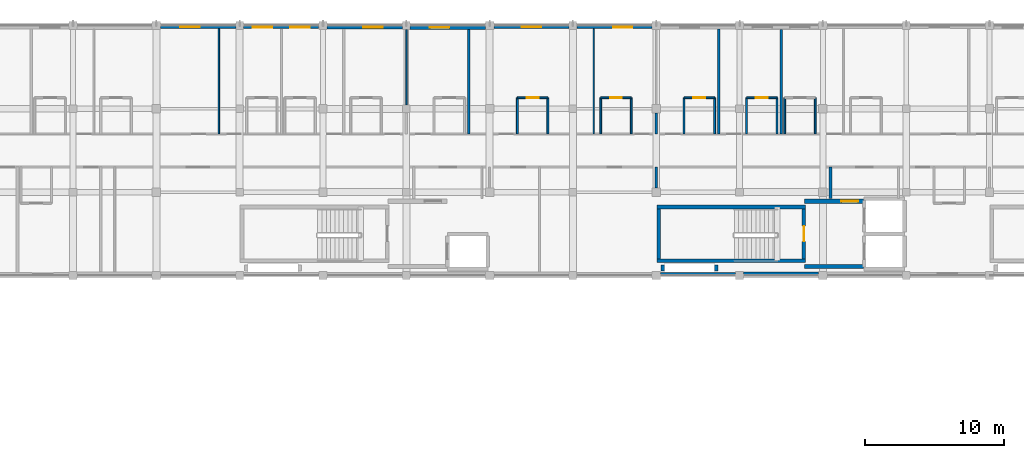
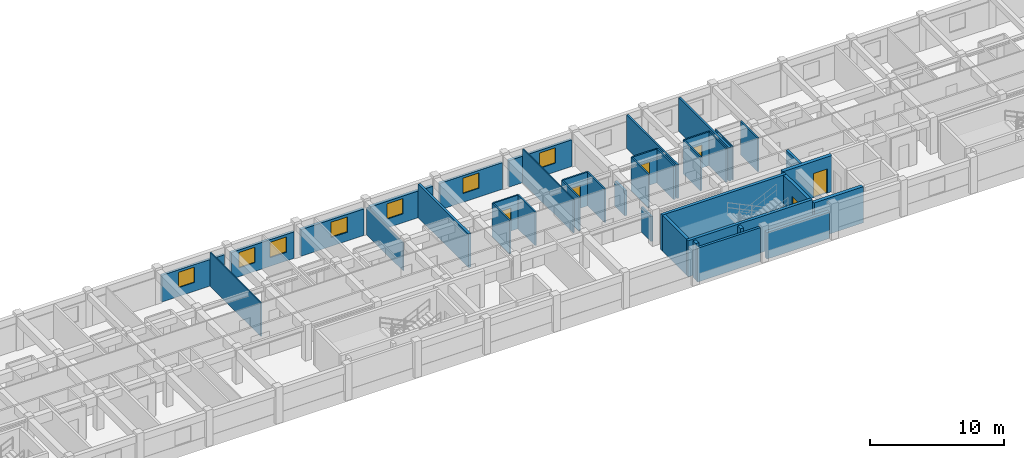
# One storey, part 14 of 22: 39 walls, 7 windows, 6 doors, 13 openings.
"""IFC4 building model written with IfcOpenShell, lengths in metres."""

from ifc_helpers import new_model, si_unit, direction, frame, frame_2d, origin, place, context, subcontext, project, spatial, rectangle, extrude, material, layer, layer_set, type_object, element, fill, save


model = new_model("IFC4")

# Units and contexts
model_context = context("Model", 3, precision=1e-05, world=origin(), true_north=direction((0.0, 1.0)))
body_context = subcontext(model_context, "Body", "Model", "MODEL_VIEW")
ifc_project = project(units=[si_unit("LENGTHUNIT", "METRE"), si_unit("AREAUNIT", "SQUARE_METRE"), si_unit("VOLUMEUNIT", "CUBIC_METRE"), si_unit("PLANEANGLEUNIT", "RADIAN"), si_unit("MASSUNIT", "GRAM", prefix="KILO"), si_unit("THERMODYNAMICTEMPERATUREUNIT", "KELVIN"), si_unit("POWERUNIT", "WATT")], contexts=[model_context])

# Site, building, storey
site_placement = place(None, origin())
site = spatial("IfcSite", under=ifc_project, at=site_placement, CompositionType="ELEMENT")
building_placement = place(site_placement, origin())
building = spatial("IfcBuilding", under=site, at=building_placement, Name="Phaisarnlok Congress Hotel", CompositionType="ELEMENT")
storey_placement = place(building_placement, frame((0.0, 0.0, 28.199951171875)))
storey = spatial("IfcBuildingStorey", under=building, at=storey_placement, Name="L06", CompositionType="ELEMENT", Elevation=28.199951171875)

# Wall, opening, window
ifc_material_1 = material(Name="Concrete C40/50", Category="concrete")
ifc_layer_1 = layer(ifc_material_1, 0.2099609375, Name="Concrete C40/50")
ifc_layer_set_1 = layer_set([ifc_layer_1], Name="Concrete C40/50")
wall_type_1 = type_object("IfcWallType", Name="WL-EXT-210", PredefinedType="SOLIDWALL", material=ifc_layer_set_1)
wall_1_placement = place(storey_placement, frame((125.719970703125, 125.89501953125, 0.0), z_axis=(0.0, 0.0, 1.0), x_axis=(-1.0, 0.0, 0.0)))
wall_1 = element("IfcWall", 1, at=wall_1_placement, inside=storey, type_object=wall_type_1, Name="Exterior wall EW-07 (L06)", PredefinedType="SOLIDWALL", context=body_context, shape_type="SweptSolid", body=[
    extrude(rectangle(XDim=5.4150390625, YDim=0.2099609375, at=frame_2d((2.70751953125, 0.0))), origin(), (0.0, 0.0, 1.0), 2.429931640625),
])
opening_1_placement = place(wall_1_placement, frame((2.007080078125, 0.0, 0.800048828125)))
opening_1 = element("IfcOpeningElement", 2, at=opening_1_placement, cuts=wall_1, Name="Opening W-13", PredefinedType="OPENING", context=body_context, shape_type="SweptSolid", body=[
    extrude(rectangle(XDim=1.39990234375, YDim=1.39990234375, at=frame_2d((0.699951171875, 0.699951171875))), frame((0.0, 0.114990234375, 0.0), z_axis=(0.0, -1.0, 0.0), x_axis=(1.0, 0.0, 0.0)), (0.0, 0.0, 1.0), 0.22998046875),
])
ifc_material_2 = material(Name="Thermally Broken Aluminium & Low-E Double Glazing", Category="aluminium")
window_type = type_object("IfcWindowType", Name="WIN-POD-1400", PartitioningType="SINGLE_PANEL", PredefinedType="WINDOW", material=ifc_material_2)
window_1_placement = place(opening_1_placement, origin())
window_1 = element("IfcWindow", 3, at=window_1_placement, inside=storey, type_object=window_type, Name="Guestroom window W-13 (L06)", OverallHeight=1.39990234375, OverallWidth=1.39990234375, PartitioningType="SINGLE_PANEL", PredefinedType="WINDOW", context=body_context, shape_type="SweptSolid", body=[
    extrude(rectangle(XDim=1.39990234375, YDim=1.39990234375, at=frame_2d((0.699951171875, 0.699951171875))), frame((0.0, 0.030029296875, 0.0), z_axis=(0.0, -1.0, 0.0), x_axis=(1.0, 0.0, 0.0)), (0.0, 0.0, 1.0), 0.06005859375),
])
fill(opening_1, window_1)

wall_2_placement = place(storey_placement, frame((101.719970703125, 125.89501953125, 0.0), z_axis=(0.0, 0.0, 1.0), x_axis=(-1.0, 0.0, 0.0)))
wall_2 = element("IfcWall", 4, at=wall_2_placement, inside=storey, type_object=wall_type_1, Name="Exterior wall EW-07 (L06)", PredefinedType="SOLIDWALL", context=body_context, shape_type="SweptSolid", body=[
    extrude(rectangle(XDim=5.4150390625, YDim=0.2099609375, at=frame_2d((2.70751953125, 0.0))), origin(), (0.0, 0.0, 1.0), 2.429931640625),
])
opening_2_placement = place(wall_2_placement, frame((2.60791015625, 0.0, 0.800048828125)))
opening_2 = element("IfcOpeningElement", 5, at=opening_2_placement, cuts=wall_2, Name="Opening W-13", PredefinedType="OPENING", context=body_context, shape_type="SweptSolid", body=[
    extrude(rectangle(XDim=1.39990234375, YDim=1.39990234375, at=frame_2d((0.699951171875, 0.699951171875))), frame((0.0, 0.114990234375, 0.0), z_axis=(0.0, -1.0, 0.0), x_axis=(1.0, 0.0, 0.0)), (0.0, 0.0, 1.0), 0.22998046875),
])
window_2_placement = place(opening_2_placement, origin())
window_2 = element("IfcWindow", 6, at=window_2_placement, inside=storey, type_object=window_type, Name="Guestroom window W-13 (L06)", OverallHeight=1.39990234375, OverallWidth=1.39990234375, PartitioningType="SINGLE_PANEL", PredefinedType="WINDOW", context=body_context, shape_type="SweptSolid", body=[
    extrude(rectangle(XDim=1.39990234375, YDim=1.39990234375, at=frame_2d((0.699951171875, 0.699951171875))), frame((0.0, 0.030029296875, 0.0), z_axis=(0.0, -1.0, 0.0), x_axis=(1.0, 0.0, 0.0)), (0.0, 0.0, 1.0), 0.06005859375),
])
fill(opening_2, window_2)

# Wall
wall_3_placement = place(storey_placement, frame((132.304931640625, 108.10498046875, 0.0), z_axis=(0.0, 0.0, 1.0), x_axis=(1.0, 0.0, 0.0)))
element("IfcWall", 7, at=wall_3_placement, inside=storey, type_object=wall_type_1, Name="Exterior wall EW-07 (L06)", PredefinedType="SOLIDWALL", context=body_context, shape_type="SweptSolid", body=[
    extrude(rectangle(XDim=5.4150390625, YDim=0.2099609375, at=frame_2d((2.70751953125, 0.0))), origin(), (0.0, 0.0, 1.0), 3.080078125),
])

# Wall, opening, window
ifc_layer_2 = layer(ifc_material_1, 0.22998046875, Name="Concrete C40/50")
ifc_layer_set_2 = layer_set([ifc_layer_2], Name="Concrete C40/50")
wall_type_2 = type_object("IfcWallType", Name="WL-EXT-230", PredefinedType="SOLIDWALL", material=ifc_layer_set_2)
wall_4_placement = place(storey_placement, frame((131.695068359375, 125.885009765625, 0.0), z_axis=(0.0, 0.0, 1.0), x_axis=(-1.0, 0.0, 0.0)))
wall_4 = element("IfcWall", 8, at=wall_4_placement, inside=storey, type_object=wall_type_2, Name="Exterior wall EW-06 (L06)", PredefinedType="SOLIDWALL", context=body_context, shape_type="SweptSolid", body=[
    extrude(rectangle(XDim=5.4150390625, YDim=0.22998046875, at=frame_2d((2.70751953125, 0.0))), origin(), (0.0, 0.0, 1.0), 2.429931640625),
])
opening_3_placement = place(wall_4_placement, frame((1.407958984375, 0.0, 0.800048828125)))
opening_3 = element("IfcOpeningElement", 9, at=opening_3_placement, cuts=wall_4, Name="Opening W-13", PredefinedType="OPENING", context=body_context, shape_type="SweptSolid", body=[
    extrude(rectangle(XDim=1.39990234375, YDim=1.39990234375, at=frame_2d((0.699951171875, 0.699951171875))), frame((0.0, 0.125, 0.0), z_axis=(0.0, -1.0, 0.0), x_axis=(1.0, 0.0, 0.0)), (0.0, 0.0, 1.0), 0.25),
])
window_3_placement = place(opening_3_placement, origin())
window_3 = element("IfcWindow", 10, at=window_3_placement, inside=storey, type_object=window_type, Name="Guestroom window W-13 (L06)", OverallHeight=1.39990234375, OverallWidth=1.39990234375, PartitioningType="SINGLE_PANEL", PredefinedType="WINDOW", context=body_context, shape_type="SweptSolid", body=[
    extrude(rectangle(XDim=1.39990234375, YDim=1.39990234375, at=frame_2d((0.699951171875, 0.699951171875))), frame((0.0, 0.030029296875, 0.0), z_axis=(0.0, -1.0, 0.0), x_axis=(1.0, 0.0, 0.0)), (0.0, 0.0, 1.0), 0.06005859375),
])
fill(opening_3, window_3)

# Wall, openings, windows
wall_5_placement = place(storey_placement, frame((107.695068359375, 125.885009765625, 0.0), z_axis=(0.0, 0.0, 1.0), x_axis=(-1.0, 0.0, 0.0)))
wall_5 = element("IfcWall", 11, at=wall_5_placement, inside=storey, type_object=wall_type_2, Name="Exterior wall EW-06 (L06)", PredefinedType="SOLIDWALL", context=body_context, shape_type="SweptSolid", body=[
    extrude(rectangle(XDim=5.4150390625, YDim=0.22998046875, at=frame_2d((2.70751953125, 0.0))), origin(), (0.0, 0.0, 1.0), 2.429931640625),
])
opening_4_placement = place(wall_5_placement, frame((3.344970703125, 0.0, 0.800048828125)))
opening_4 = element("IfcOpeningElement", 12, at=opening_4_placement, cuts=wall_5, Name="Opening W-13", PredefinedType="OPENING", context=body_context, shape_type="SweptSolid", body=[
    extrude(rectangle(XDim=1.39990234375, YDim=1.39990234375, at=frame_2d((0.699951171875, 0.699951171875))), frame((0.0, 0.125, 0.0), z_axis=(0.0, -1.0, 0.0), x_axis=(1.0, 0.0, 0.0)), (0.0, 0.0, 1.0), 0.25),
])
opening_5_placement = place(wall_5_placement, frame((0.656982421875, 0.0, 0.800048828125)))
opening_5 = element("IfcOpeningElement", 13, at=opening_5_placement, cuts=wall_5, Name="Opening W-13", PredefinedType="OPENING", context=body_context, shape_type="SweptSolid", body=[
    extrude(rectangle(XDim=1.39990234375, YDim=1.39990234375, at=frame_2d((0.699951171875, 0.699951171875))), frame((0.0, 0.125, 0.0), z_axis=(0.0, -1.0, 0.0), x_axis=(1.0, 0.0, 0.0)), (0.0, 0.0, 1.0), 0.25),
])
window_4_placement = place(opening_4_placement, origin())
window_4 = element("IfcWindow", 14, at=window_4_placement, inside=storey, type_object=window_type, Name="Guestroom window W-13 (L06)", OverallHeight=1.39990234375, OverallWidth=1.39990234375, PartitioningType="SINGLE_PANEL", PredefinedType="WINDOW", context=body_context, shape_type="SweptSolid", body=[
    extrude(rectangle(XDim=1.39990234375, YDim=1.39990234375, at=frame_2d((0.699951171875, 0.699951171875))), frame((0.0, 0.030029296875, 0.0), z_axis=(0.0, -1.0, 0.0), x_axis=(1.0, 0.0, 0.0)), (0.0, 0.0, 1.0), 0.06005859375),
])
fill(opening_4, window_4)
window_5_placement = place(opening_5_placement, origin())
window_5 = element("IfcWindow", 15, at=window_5_placement, inside=storey, type_object=window_type, Name="Guestroom window W-13 (L06)", OverallHeight=1.39990234375, OverallWidth=1.39990234375, PartitioningType="SINGLE_PANEL", PredefinedType="WINDOW", context=body_context, shape_type="SweptSolid", body=[
    extrude(rectangle(XDim=1.39990234375, YDim=1.39990234375, at=frame_2d((0.699951171875, 0.699951171875))), frame((0.0, 0.030029296875, 0.0), z_axis=(0.0, -1.0, 0.0), x_axis=(1.0, 0.0, 0.0)), (0.0, 0.0, 1.0), 0.06005859375),
])
fill(opening_5, window_5)

# Wall, opening, window
ifc_layer_3 = layer(ifc_material_1, 0.25, Name="Concrete C40/50")
ifc_layer_set_3 = layer_set([ifc_layer_3], Name="Concrete C40/50")
wall_type_3 = type_object("IfcWallType", Name="WL-EXT-250", PredefinedType="SOLIDWALL", material=ifc_layer_set_3)
wall_6_placement = place(storey_placement, frame((113.719970703125, 125.875, 0.0), z_axis=(0.0, 0.0, 1.0), x_axis=(-1.0, 0.0, 0.0)))
wall_6 = element("IfcWall", 16, at=wall_6_placement, inside=storey, type_object=wall_type_3, Name="Exterior wall EW-05 (L06)", PredefinedType="SOLIDWALL", context=body_context, shape_type="SweptSolid", body=[
    extrude(rectangle(XDim=5.4150390625, YDim=0.25, at=frame_2d((2.70751953125, 0.0))), origin(), (0.0, 0.0, 1.0), 2.429931640625),
])
opening_6_placement = place(wall_6_placement, frame((1.419921875, 0.0, 0.800048828125)))
opening_6 = element("IfcOpeningElement", 17, at=opening_6_placement, cuts=wall_6, Name="Opening W-13", PredefinedType="OPENING", context=body_context, shape_type="SweptSolid", body=[
    extrude(rectangle(XDim=1.39990234375, YDim=1.39990234375, at=frame_2d((0.699951171875, 0.699951171875))), frame((0.0, 0.135009765625, 0.0), z_axis=(0.0, -1.0, 0.0), x_axis=(1.0, 0.0, 0.0)), (0.0, 0.0, 1.0), 0.27001953125),
])
window_6_placement = place(opening_6_placement, origin())
window_6 = element("IfcWindow", 18, at=window_6_placement, inside=storey, type_object=window_type, Name="Guestroom window W-13 (L06)", OverallHeight=1.39990234375, OverallWidth=1.39990234375, PartitioningType="SINGLE_PANEL", PredefinedType="WINDOW", context=body_context, shape_type="SweptSolid", body=[
    extrude(rectangle(XDim=1.39990234375, YDim=1.39990234375, at=frame_2d((0.699951171875, 0.699951171875))), frame((0.0, 0.030029296875, 0.0), z_axis=(0.0, -1.0, 0.0), x_axis=(1.0, 0.0, 0.0)), (0.0, 0.0, 1.0), 0.06005859375),
])
fill(opening_6, window_6)

ifc_layer_4 = layer(ifc_material_1, 0.27001953125, Name="Concrete C40/50")
ifc_layer_set_4 = layer_set([ifc_layer_4], Name="Concrete C40/50")
wall_type_4 = type_object("IfcWallType", Name="WL-EXT-270", PredefinedType="SOLIDWALL", material=ifc_layer_set_4)
wall_7_placement = place(storey_placement, frame((119.695068359375, 125.864990234375, 0.0), z_axis=(0.0, 0.0, 1.0), x_axis=(-1.0, 0.0, 0.0)))
wall_7 = element("IfcWall", 19, at=wall_7_placement, inside=storey, type_object=wall_type_4, Name="Exterior wall EW-04 (L06)", PredefinedType="SOLIDWALL", context=body_context, shape_type="SweptSolid", body=[
    extrude(rectangle(XDim=5.4150390625, YDim=0.27001953125, at=frame_2d((2.70751953125, 0.0))), origin(), (0.0, 0.0, 1.0), 2.429931640625),
])
opening_7_placement = place(wall_7_placement, frame((2.594970703125, 0.0, 0.800048828125)))
opening_7 = element("IfcOpeningElement", 20, at=opening_7_placement, cuts=wall_7, Name="Opening W-13", PredefinedType="OPENING", context=body_context, shape_type="SweptSolid", body=[
    extrude(rectangle(XDim=1.39990234375, YDim=1.39990234375, at=frame_2d((0.699951171875, 0.699951171875))), frame((0.0, 0.14501953125, 0.0), z_axis=(0.0, -1.0, 0.0), x_axis=(1.0, 0.0, 0.0)), (0.0, 0.0, 1.0), 0.2900390625),
])
window_7_placement = place(opening_7_placement, origin())
window_7 = element("IfcWindow", 21, at=window_7_placement, inside=storey, type_object=window_type, Name="Guestroom window W-13 (L06)", OverallHeight=1.39990234375, OverallWidth=1.39990234375, PartitioningType="SINGLE_PANEL", PredefinedType="WINDOW", context=body_context, shape_type="SweptSolid", body=[
    extrude(rectangle(XDim=1.39990234375, YDim=1.39990234375, at=frame_2d((0.699951171875, 0.699951171875))), frame((0.0, 0.030029296875, 0.0), z_axis=(0.0, -1.0, 0.0), x_axis=(1.0, 0.0, 0.0)), (0.0, 0.0, 1.0), 0.06005859375),
])
fill(opening_7, window_7)

# Walls
wall_8_placement = place(storey_placement, frame((138.280029296875, 108.135009765625, 0.0), z_axis=(0.0, 0.0, 1.0), x_axis=(1.0, 0.0, 0.0)))
element("IfcWall", 22, at=wall_8_placement, inside=storey, type_object=wall_type_4, Name="Exterior wall EW-04 (L06)", PredefinedType="SOLIDWALL", context=body_context, shape_type="SweptSolid", body=[
    extrude(rectangle(XDim=5.4150390625, YDim=0.27001953125, at=frame_2d((2.70751953125, 0.0))), origin(), (0.0, 0.0, 1.0), 2.429931640625),
])
ifc_material_3 = material(Name="Service Riser Shaftwall Partition", Category="gypsum")
ifc_layer_5 = layer(ifc_material_3, 0.10498046875, Name="Service Riser Shaftwall Partition")
ifc_layer_set_5 = layer_set([ifc_layer_5], Name="Service Riser Shaftwall Partition")
wall_type_5 = type_object("IfcWallType", Name="WL-INT-105", PredefinedType="PARTITIONING", material=ifc_layer_set_5)
wall_9_placement = place(storey_placement, frame((100.5, 118.199951171875, 0.0), z_axis=(0.0, 0.0, 1.0), x_axis=(0.0, 1.0, 0.0)))
element("IfcWall", 23, at=wall_9_placement, inside=storey, type_object=wall_type_5, Name="Interior partition wall IW-08 (L06)", PredefinedType="PARTITIONING", context=body_context, shape_type="SweptSolid", body=[
    extrude(rectangle(XDim=7.5849609375, YDim=0.10498046875, at=frame_2d((3.79248046875, 0.0))), origin(), (0.0, 0.0, 1.0), 3.080078125),
])
wall_10_placement = place(storey_placement, frame((114.0, 120.280029296875, 0.0), z_axis=(0.0, 0.0, 1.0), x_axis=(0.0, 1.0, 0.0)))
element("IfcWall", 24, at=wall_10_placement, inside=storey, type_object=wall_type_5, Name="Interior partition wall IW-08 (L06)", PredefinedType="PARTITIONING", context=body_context, shape_type="SweptSolid", body=[
    extrude(rectangle(XDim=5.43994140625, YDim=0.10498046875, at=frame_2d((2.719970703125, 0.0))), origin(), (0.0, 0.0, 1.0), 2.530029296875),
])
wall_11_placement = place(storey_placement, frame((127.5, 118.199951171875, 0.0), z_axis=(0.0, 0.0, 1.0), x_axis=(0.0, 1.0, 0.0)))
element("IfcWall", 25, at=wall_11_placement, inside=storey, type_object=wall_type_5, Name="Interior partition wall IW-08 (L06)", PredefinedType="PARTITIONING", context=body_context, shape_type="SweptSolid", body=[
    extrude(rectangle(XDim=7.56494140625, YDim=0.10498046875, at=frame_2d((3.782470703125, 0.0))), origin(), (0.0, 0.0, 1.0), 3.080078125),
])
ifc_material_4 = material(Name="Lightweight Metal-Stud Gypsum Partition", Category="gypsum")
ifc_layer_6 = layer(ifc_material_4, 0.1201171875, Name="Lightweight Metal-Stud Gypsum Partition")
ifc_layer_set_6 = layer_set([ifc_layer_6], Name="Lightweight Metal-Stud Gypsum Partition")
wall_type_6 = type_object("IfcWallType", Name="WL-INT-120", PredefinedType="PARTITIONING", material=ifc_layer_set_6)
for number, where, z_axis, x_axis, name in (
    (26, (130.199951171875, 118.199951171875, 0.0), (0.0, 0.0, 1.0), (0.0, 1.0, 0.0), "Interior partition wall IW-07 (L06)"),
    (27, (134.0, 118.199951171875, 0.0), (0.0, 0.0, 1.0), (0.0, 1.0, 0.0), "Interior partition wall IW-07 (L06)"),
    (28, (140.699951171875, 118.199951171875, 0.0), (0.0, 0.0, 1.0), (0.0, 1.0, 0.0), "Interior partition wall IW-07 (L06)"),
    (29, (141.25, 118.199951171875, 0.0), (0.0, 0.0, 1.0), (0.0, 1.0, 0.0), "Interior partition wall IW-07 (L06)"),
):
    element("IfcWall", number, at=place(storey_placement, frame(where, z_axis=z_axis, x_axis=x_axis)), inside=storey, type_object=wall_type_6, Name=name, PredefinedType="PARTITIONING", context=body_context, shape_type="SweptSolid", body=[
        extrude(rectangle(XDim=2.60009765625, YDim=0.1201171875, at=frame_2d((1.300048828125, 0.0))), origin(), (0.0, 0.0, 1.0), 3.080078125),
    ])

# Wall, opening, door
wall_12_placement = place(storey_placement, frame((122.0, 120.800048828125, 0.0), z_axis=(0.0, 0.0, 1.0), x_axis=(1.0, 0.0, 0.0)))
wall_12 = element("IfcWall", 30, at=wall_12_placement, inside=storey, type_object=wall_type_6, Name="Interior partition wall IW-07 (L06)", PredefinedType="PARTITIONING", context=body_context, shape_type="SweptSolid", body=[
    extrude(rectangle(XDim=2.199951171875, YDim=0.1201171875, at=frame_2d((1.10009765625, 0.0))), origin(), (0.0, 0.0, 1.0), 3.080078125),
])
opening_8_placement = place(wall_12_placement, frame((0.675048828125, 0.0, 0.0)))
opening_8 = element("IfcOpeningElement", 31, at=opening_8_placement, cuts=wall_12, Name="Opening D-0251", PredefinedType="OPENING", context=body_context, shape_type="SweptSolid", body=[
    extrude(rectangle(XDim=0.85009765625, YDim=2.10009765625, at=frame_2d((0.425048828125, 1.050048828125))), frame((0.0, 0.070068359375, 0.0), z_axis=(0.0, -1.0, 0.0), x_axis=(1.0, 0.0, 0.0)), (0.0, 0.0, 1.0), 0.14013671875),
])
ifc_material_5 = material(Name="Moisture-Resistant Lacquered Timber", Category="wood")
door_type_1 = type_object("IfcDoorType", Name="DR-BATH-850", OperationType="NOTDEFINED", PredefinedType="DOOR", material=ifc_material_5)
door_1_placement = place(opening_8_placement, origin())
door_1 = element("IfcDoor", 32, at=door_1_placement, inside=storey, type_object=door_type_1, Name="Interior door D-0251 (L06)", OperationType="SINGLE_SWING_RIGHT", OverallHeight=2.10009765625, OverallWidth=0.85009765625, PredefinedType="DOOR", context=body_context, shape_type="SweptSolid", body=[
    extrude(rectangle(XDim=0.85009765625, YDim=2.10009765625, at=frame_2d((0.425048828125, 1.050048828125))), frame((0.0, 0.02490234375, 0.0), z_axis=(0.0, -1.0, 0.0), x_axis=(1.0, 0.0, 0.0)), (0.0, 0.0, 1.0), 0.050048828125),
])
fill(opening_8, door_1)

wall_13_placement = place(storey_placement, frame((134.0, 120.800048828125, 0.0), z_axis=(0.0, 0.0, 1.0), x_axis=(1.0, 0.0, 0.0)))
wall_13 = element("IfcWall", 33, at=wall_13_placement, inside=storey, type_object=wall_type_6, Name="Interior partition wall IW-07 (L06)", PredefinedType="PARTITIONING", context=body_context, shape_type="SweptSolid", body=[
    extrude(rectangle(XDim=2.199951171875, YDim=0.1201171875, at=frame_2d((1.10009765625, 0.0))), origin(), (0.0, 0.0, 1.0), 3.080078125),
])
opening_9_placement = place(wall_13_placement, frame((0.675048828125, 0.0, 0.0)))
opening_9 = element("IfcOpeningElement", 34, at=opening_9_placement, cuts=wall_13, Name="Opening D-0255", PredefinedType="OPENING", context=body_context, shape_type="SweptSolid", body=[
    extrude(rectangle(XDim=0.85009765625, YDim=2.10009765625, at=frame_2d((0.425048828125, 1.050048828125))), frame((0.0, 0.070068359375, 0.0), z_axis=(0.0, -1.0, 0.0), x_axis=(1.0, 0.0, 0.0)), (0.0, 0.0, 1.0), 0.14013671875),
])
door_2_placement = place(opening_9_placement, origin())
door_2 = element("IfcDoor", 35, at=door_2_placement, inside=storey, type_object=door_type_1, Name="Interior door D-0255 (L06)", OperationType="SINGLE_SWING_RIGHT", OverallHeight=2.10009765625, OverallWidth=0.85009765625, PredefinedType="DOOR", context=body_context, shape_type="SweptSolid", body=[
    extrude(rectangle(XDim=0.85009765625, YDim=2.10009765625, at=frame_2d((0.425048828125, 1.050048828125))), frame((0.0, 0.02490234375, 0.0), z_axis=(0.0, -1.0, 0.0), x_axis=(1.0, 0.0, 0.0)), (0.0, 0.0, 1.0), 0.050048828125),
])
fill(opening_9, door_2)

# Walls
ifc_material_6 = material(Name="Moisture-Resistant Gypsum Partition", Category="gypsum")
ifc_layer_7 = layer(ifc_material_6, 0.135009765625, Name="Moisture-Resistant Gypsum Partition")
ifc_layer_set_7 = layer_set([ifc_layer_7], Name="Moisture-Resistant Gypsum Partition")
wall_type_7 = type_object("IfcWallType", Name="WL-INT-135", PredefinedType="PARTITIONING", material=ifc_layer_set_7)
for number, where, z_axis, x_axis, name in (
    (36, (122.0, 118.199951171875, 0.0), (0.0, 0.0, 1.0), (0.0, 1.0, 0.0), "Interior partition wall IW-06 (L06)"),
    (37, (124.199951171875, 118.199951171875, 0.0), (0.0, 0.0, 1.0), (0.0, 1.0, 0.0), "Interior partition wall IW-06 (L06)"),
    (38, (128.0, 118.199951171875, 0.0), (0.0, 0.0, 1.0), (0.0, 1.0, 0.0), "Interior partition wall IW-06 (L06)"),
    (39, (136.199951171875, 118.199951171875, 0.0), (0.0, 0.0, 1.0), (0.0, 1.0, 0.0), "Interior partition wall IW-06 (L06)"),
    (40, (138.5, 118.199951171875, 0.0), (0.0, 0.0, 1.0), (0.0, 1.0, 0.0), "Interior partition wall IW-06 (L06)"),
    (41, (143.449951171875, 118.199951171875, 0.0), (0.0, 0.0, 1.0), (0.0, 1.0, 0.0), "Interior partition wall IW-06 (L06)"),
):
    element("IfcWall", number, at=place(storey_placement, frame(where, z_axis=z_axis, x_axis=x_axis)), inside=storey, type_object=wall_type_7, Name=name, PredefinedType="PARTITIONING", context=body_context, shape_type="SweptSolid", body=[
        extrude(rectangle(XDim=2.60009765625, YDim=0.135009765625, at=frame_2d((1.300048828125, 0.0))), origin(), (0.0, 0.0, 1.0), 3.080078125),
    ])

# Wall, opening, door
wall_14_placement = place(storey_placement, frame((128.0, 120.800048828125, 0.0), z_axis=(0.0, 0.0, 1.0), x_axis=(1.0, 0.0, 0.0)))
wall_14 = element("IfcWall", 42, at=wall_14_placement, inside=storey, type_object=wall_type_7, Name="Interior partition wall IW-06 (L06)", PredefinedType="PARTITIONING", context=body_context, shape_type="SweptSolid", body=[
    extrude(rectangle(XDim=2.199951171875, YDim=0.135009765625, at=frame_2d((1.10009765625, 0.0))), origin(), (0.0, 0.0, 1.0), 3.080078125),
])
opening_10_placement = place(wall_14_placement, frame((0.675048828125, 0.0, 0.0)))
opening_10 = element("IfcOpeningElement", 43, at=opening_10_placement, cuts=wall_14, Name="Opening D-0253", PredefinedType="OPENING", context=body_context, shape_type="SweptSolid", body=[
    extrude(rectangle(XDim=0.85009765625, YDim=2.10009765625, at=frame_2d((0.425048828125, 1.050048828125))), frame((0.0, 0.07763671875, 0.0), z_axis=(0.0, -1.0, 0.0), x_axis=(1.0, 0.0, 0.0)), (0.0, 0.0, 1.0), 0.155029296875),
])
door_3_placement = place(opening_10_placement, origin())
door_3 = element("IfcDoor", 44, at=door_3_placement, inside=storey, type_object=door_type_1, Name="Interior door D-0253 (L06)", OperationType="SINGLE_SWING_RIGHT", OverallHeight=2.10009765625, OverallWidth=0.85009765625, PredefinedType="DOOR", context=body_context, shape_type="SweptSolid", body=[
    extrude(rectangle(XDim=0.85009765625, YDim=2.10009765625, at=frame_2d((0.425048828125, 1.050048828125))), frame((0.0, 0.02490234375, 0.0), z_axis=(0.0, -1.0, 0.0), x_axis=(1.0, 0.0, 0.0)), (0.0, 0.0, 1.0), 0.050048828125),
])
fill(opening_10, door_3)

wall_15_placement = place(storey_placement, frame((138.5, 120.800048828125, 0.0), z_axis=(0.0, 0.0, 1.0), x_axis=(1.0, 0.0, 0.0)))
wall_15 = element("IfcWall", 45, at=wall_15_placement, inside=storey, type_object=wall_type_7, Name="Interior partition wall IW-06 (L06)", PredefinedType="PARTITIONING", context=body_context, shape_type="SweptSolid", body=[
    extrude(rectangle(XDim=2.199951171875, YDim=0.135009765625, at=frame_2d((1.10009765625, 0.0))), origin(), (0.0, 0.0, 1.0), 3.080078125),
])
opening_11_placement = place(wall_15_placement, frame((0.675048828125, 0.0, 0.0)))
opening_11 = element("IfcOpeningElement", 46, at=opening_11_placement, cuts=wall_15, Name="Opening D-0257", PredefinedType="OPENING", context=body_context, shape_type="SweptSolid", body=[
    extrude(rectangle(XDim=0.85009765625, YDim=2.10009765625, at=frame_2d((0.425048828125, 1.050048828125))), frame((0.0, 0.07763671875, 0.0), z_axis=(0.0, -1.0, 0.0), x_axis=(1.0, 0.0, 0.0)), (0.0, 0.0, 1.0), 0.155029296875),
])
door_4_placement = place(opening_11_placement, origin())
door_4 = element("IfcDoor", 47, at=door_4_placement, inside=storey, type_object=door_type_1, Name="Interior door D-0257 (L06)", OperationType="SINGLE_SWING_RIGHT", OverallHeight=2.10009765625, OverallWidth=0.85009765625, PredefinedType="DOOR", context=body_context, shape_type="SweptSolid", body=[
    extrude(rectangle(XDim=0.85009765625, YDim=2.10009765625, at=frame_2d((0.425048828125, 1.050048828125))), frame((0.0, 0.02490234375, 0.0), z_axis=(0.0, -1.0, 0.0), x_axis=(1.0, 0.0, 0.0)), (0.0, 0.0, 1.0), 0.050048828125),
])
fill(opening_11, door_4)

# Walls
ifc_material_7 = material(Name="Acoustic Gypsum Board & Mineral Wool", Category="gypsum")
ifc_layer_8 = layer(ifc_material_7, 0.14990234375, Name="Acoustic Gypsum Board & Mineral Wool")
ifc_layer_set_8 = layer_set([ifc_layer_8], Name="Acoustic Gypsum Board & Mineral Wool")
wall_type_8 = type_object("IfcWallType", Name="WL-INT-150", PredefinedType="PARTITIONING", material=ifc_layer_set_8)
wall_16_placement = place(storey_placement, frame((132.0, 114.304931640625, 0.0), z_axis=(0.0, 0.0, 1.0), x_axis=(0.0, 1.0, 0.0)))
element("IfcWall", 48, at=wall_16_placement, inside=storey, type_object=wall_type_8, Name="Interior partition wall IW-05 (L06)", PredefinedType="PARTITIONING", context=body_context, shape_type="SweptSolid", body=[
    extrude(rectangle(XDim=1.4951171875, YDim=0.14990234375, at=frame_2d((0.74755859375, 0.0))), origin(), (0.0, 0.0, 1.0), 2.280029296875),
])
wall_17_placement = place(storey_placement, frame((136.5, 118.199951171875, 0.0), z_axis=(0.0, 0.0, 1.0), x_axis=(0.0, 1.0, 0.0)))
element("IfcWall", 49, at=wall_17_placement, inside=storey, type_object=wall_type_8, Name="Interior partition wall IW-05 (L06)", PredefinedType="PARTITIONING", context=body_context, shape_type="SweptSolid", body=[
    extrude(rectangle(XDim=7.545166015625, YDim=0.14990234375, at=frame_2d((3.7724609375, 0.0))), origin(), (0.0, 0.0, 1.0), 3.080078125),
])
ifc_material_8 = material(Name="Autoclaved Aerated Concrete Block", Category="concrete")
ifc_layer_9 = layer(ifc_material_8, 0.179931640625, Name="Autoclaved Aerated Concrete Block")
ifc_layer_set_9 = layer_set([ifc_layer_9], Name="Autoclaved Aerated Concrete Block")
wall_type_9 = type_object("IfcWallType", Name="WL-INT-180", PredefinedType="PARTITIONING", material=ifc_layer_set_9)
wall_18_placement = place(storey_placement, frame((141.0, 118.199951171875, 0.0), z_axis=(0.0, 0.0, 1.0), x_axis=(0.0, 1.0, 0.0)))
element("IfcWall", 50, at=wall_18_placement, inside=storey, type_object=wall_type_9, Name="Interior partition wall IW-03 (L06)", PredefinedType="PARTITIONING", context=body_context, shape_type="SweptSolid", body=[
    extrude(rectangle(XDim=7.525146484375, YDim=0.179931640625, at=frame_2d((3.7626953125, 0.0))), origin(), (0.0, 0.0, 1.0), 3.080078125),
])
ifc_layer_10 = layer(ifc_material_8, 0.199951171875, Name="Autoclaved Aerated Concrete Block")
ifc_layer_set_10 = layer_set([ifc_layer_10], Name="Autoclaved Aerated Concrete Block")
wall_type_10 = type_object("IfcWallType", Name="WL-INT-200", PredefinedType="PARTITIONING", material=ifc_layer_set_10)
wall_19_placement = place(storey_placement, frame((118.5, 118.199951171875, 0.0), z_axis=(0.0, 0.0, 1.0), x_axis=(0.0, 1.0, 0.0)))
element("IfcWall", 51, at=wall_19_placement, inside=storey, type_object=wall_type_10, Name="Interior partition wall IW-02 (L06)", PredefinedType="PARTITIONING", context=body_context, shape_type="SweptSolid", body=[
    extrude(rectangle(XDim=7.525146484375, YDim=0.199951171875, at=frame_2d((3.7626953125, 0.0))), origin(), (0.0, 0.0, 1.0), 3.080078125),
])
wall_20_placement = place(storey_placement, frame((132.0, 118.199951171875, 0.0), z_axis=(0.0, 0.0, 1.0), x_axis=(0.0, 1.0, 0.0)))
element("IfcWall", 52, at=wall_20_placement, inside=storey, type_object=wall_type_10, Name="Interior partition wall IW-02 (L06)", PredefinedType="PARTITIONING", context=body_context, shape_type="SweptSolid", body=[
    extrude(rectangle(XDim=1.4951171875, YDim=0.199951171875, at=frame_2d((0.74755859375, 0.0))), origin(), (0.0, 0.0, 1.0), 2.280029296875),
])
wall_21_placement = place(storey_placement, frame((144.550048828125, 113.56005859375, 0.0), z_axis=(0.0, 0.0, 1.0), x_axis=(0.0, 1.0, 0.0)))
element("IfcWall", 53, at=wall_21_placement, inside=storey, type_object=wall_type_10, Name="Interior partition wall IW-02 (L06)", PredefinedType="PARTITIONING", context=body_context, shape_type="SweptSolid", body=[
    extrude(rectangle(XDim=2.239990234375, YDim=0.199951171875, at=frame_2d((1.1201171875, 0.0))), origin(), (0.0, 0.0, 1.0), 3.080078125),
])
ifc_material_9 = material(Name="Concrete C50/60", Category="concrete")
ifc_layer_11 = layer(ifc_material_9, 0.260009765625, Name="Concrete C50/60")
ifc_layer_set_11 = layer_set([ifc_layer_11], Name="Concrete C50/60")
wall_type_11 = type_object("IfcWallType", Name="WL-SHR-260", PredefinedType="SHEAR", material=ifc_layer_set_11)
for number, where, z_axis, x_axis, name in (
    (54, (132.0400390625, 109.070068359375, 0.0), (0.0, 0.0, 1.0), (1.0, 0.0, 0.0), "Stair shaft shear wall SW-04 (CORE-2 L06)"),
    (55, (132.0400390625, 112.929931640625, 0.0), (0.0, 0.0, 1.0), (1.0, 0.0, 0.0), "Stair shaft shear wall SW-04 (CORE-2 L06)"),
):
    element("IfcWall", number, at=place(storey_placement, frame(where, z_axis=z_axis, x_axis=x_axis)), inside=storey, type_object=wall_type_11, Name=name, PredefinedType="SHEAR", context=body_context, shape_type="SweptSolid", body=[
        extrude(rectangle(XDim=10.719970703125, YDim=0.260009765625, at=frame_2d((5.35986328125, 0.0))), origin(), (0.0, 0.0, 1.0), 3.300048828125),
    ])
wall_22_placement = place(storey_placement, frame((132.169921875, 109.199951171875, 0.0), z_axis=(0.0, 0.0, 1.0), x_axis=(0.0, 1.0, 0.0)))
element("IfcWall", 56, at=wall_22_placement, inside=storey, type_object=wall_type_11, Name="Stair shaft shear wall SW-04 (CORE-2 L06)", PredefinedType="SHEAR", context=body_context, shape_type="SweptSolid", body=[
    extrude(rectangle(XDim=3.60009765625, YDim=0.260009765625, at=frame_2d((1.800048828125, 0.0))), origin(), (0.0, 0.0, 1.0), 3.300048828125),
])

# Wall, opening, door
wall_23_placement = place(storey_placement, frame((142.6298828125, 109.199951171875, 0.0), z_axis=(0.0, 0.0, 1.0), x_axis=(0.0, 1.0, 0.0)))
wall_23 = element("IfcWall", 57, at=wall_23_placement, inside=storey, type_object=wall_type_11, Name="Stair shaft shear wall SW-04 (CORE-2 L06)", PredefinedType="SHEAR", context=body_context, shape_type="SweptSolid", body=[
    extrude(rectangle(XDim=3.60009765625, YDim=0.260009765625, at=frame_2d((1.800048828125, 0.0))), origin(), (0.0, 0.0, 1.0), 3.300048828125),
])
opening_12_placement = place(wall_23_placement, frame((1.25, 0.0, 0.0)))
opening_12 = element("IfcOpeningElement", 58, at=opening_12_placement, cuts=wall_23, Name="Opening FD-038", PredefinedType="OPENING", context=body_context, shape_type="SweptSolid", body=[
    extrude(rectangle(XDim=1.10009765625, YDim=2.14990234375, at=frame_2d((0.550048828125, 1.074951171875))), frame((0.0, 0.14013671875, 0.0), z_axis=(0.0, -1.0, 0.0), x_axis=(1.0, 0.0, 0.0)), (0.0, 0.0, 1.0), 0.280029296875),
])
ifc_material_10 = material(Name="Fire-Rated Steel Frame & Timber Leaf", Category="steel")
door_type_2 = type_object("IfcDoorType", Name="DR-FD60-1100", OperationType="NOTDEFINED", PredefinedType="DOOR", material=ifc_material_10)
door_5_placement = place(opening_12_placement, origin())
door_5 = element("IfcDoor", 59, at=door_5_placement, inside=storey, type_object=door_type_2, Name="Stair enclosure fire door FD-038 (L06)", OperationType="SINGLE_SWING_LEFT", OverallHeight=2.14990234375, OverallWidth=1.10009765625, PredefinedType="DOOR", context=body_context, shape_type="SweptSolid", body=[
    extrude(rectangle(XDim=1.10009765625, YDim=2.14990234375, at=frame_2d((0.550048828125, 1.074951171875))), frame((0.0, 0.02490234375, 0.0), z_axis=(0.0, -1.0, 0.0), x_axis=(1.0, 0.0, 0.0)), (0.0, 0.0, 1.0), 0.050048828125),
])
fill(opening_12, door_5)

# Walls
for number, where, z_axis, x_axis, name in (
    (60, (132.469970703125, 108.330078125, 0.0), (0.0, 0.0, 1.0), (0.0, 1.0, 0.0), "Service riser shaft wall SW-04 (CORE-2 L06)"),
    (61, (136.330078125, 108.330078125, 0.0), (0.0, 0.0, 1.0), (0.0, 1.0, 0.0), "Service riser shaft wall SW-04 (CORE-2 L06)"),
):
    element("IfcWall", number, at=place(storey_placement, frame(where, z_axis=z_axis, x_axis=x_axis)), inside=storey, type_object=wall_type_11, Name=name, PredefinedType="SHEAR", context=body_context, shape_type="SweptSolid", body=[
        extrude(rectangle(XDim=0.43994140625, YDim=0.260009765625, at=frame_2d((0.219970703125, 0.0))), origin(), (0.0, 0.0, 1.0), 3.300048828125),
    ])

# Wall, opening, door
ifc_layer_12 = layer(ifc_material_9, 0.300048828125, Name="Concrete C50/60")
ifc_layer_set_12 = layer_set([ifc_layer_12], Name="Concrete C50/60")
wall_type_12 = type_object("IfcWallType", Name="WL-SHR-300", PredefinedType="SHEAR", material=ifc_layer_set_12)
wall_24_placement = place(storey_placement, frame((142.679931640625, 113.35009765625, 0.0), z_axis=(0.0, 0.0, 1.0), x_axis=(1.0, 0.0, 0.0)))
wall_24 = element("IfcWall", 62, at=wall_24_placement, inside=storey, type_object=wall_type_12, Name="Core lobby EI-120 wall SW-03 (CORE-2 L06)", PredefinedType="SHEAR", context=body_context, shape_type="SweptSolid", body=[
    extrude(rectangle(XDim=4.239990234375, YDim=0.300048828125, at=frame_2d((2.1201171875, 0.0))), origin(), (0.0, 0.0, 1.0), 3.300048828125),
])
opening_13_placement = place(wall_24_placement, frame((2.64990234375, 0.0, 0.0)))
opening_13 = element("IfcOpeningElement", 63, at=opening_13_placement, cuts=wall_24, Name="Opening FD-053", PredefinedType="OPENING", context=body_context, shape_type="SweptSolid", body=[
    extrude(rectangle(XDim=1.199951171875, YDim=2.199951171875, at=frame_2d((0.60009765625, 1.10009765625))), frame((0.0, 0.16015625, 0.0), z_axis=(0.0, -1.0, 0.0), x_axis=(1.0, 0.0, 0.0)), (0.0, 0.0, 1.0), 0.320068359375),
])
door_type_3 = type_object("IfcDoorType", Name="DR-FD60-1200", OperationType="NOTDEFINED", PredefinedType="DOOR", material=ifc_material_10)
door_6_placement = place(opening_13_placement, origin())
door_6 = element("IfcDoor", 64, at=door_6_placement, inside=storey, type_object=door_type_3, Name="Firefighting lobby entrance door FD-053 (CORE-2 L06)", OperationType="SINGLE_SWING_RIGHT", OverallHeight=2.199951171875, OverallWidth=1.199951171875, PredefinedType="DOOR", context=body_context, shape_type="SweptSolid", body=[
    extrude(rectangle(XDim=1.199951171875, YDim=2.199951171875, at=frame_2d((0.60009765625, 1.10009765625))), frame((0.0, 0.02490234375, 0.0), z_axis=(0.0, -1.0, 0.0), x_axis=(1.0, 0.0, 0.0)), (0.0, 0.0, 1.0), 0.050048828125),
])
fill(opening_13, door_6)

# Wall
wall_25_placement = place(storey_placement, frame((142.679931640625, 108.64990234375, 0.0), z_axis=(0.0, 0.0, 1.0), x_axis=(1.0, 0.0, 0.0)))
element("IfcWall", 65, at=wall_25_placement, inside=storey, type_object=wall_type_12, Name="Core lobby EI-120 wall SW-03 (CORE-2 L06)", PredefinedType="SHEAR", context=body_context, shape_type="SweptSolid", body=[
    extrude(rectangle(XDim=4.239990234375, YDim=0.300048828125, at=frame_2d((2.1201171875, 0.0))), origin(), (0.0, 0.0, 1.0), 3.300048828125),
])

save(model, "model.ifc")
